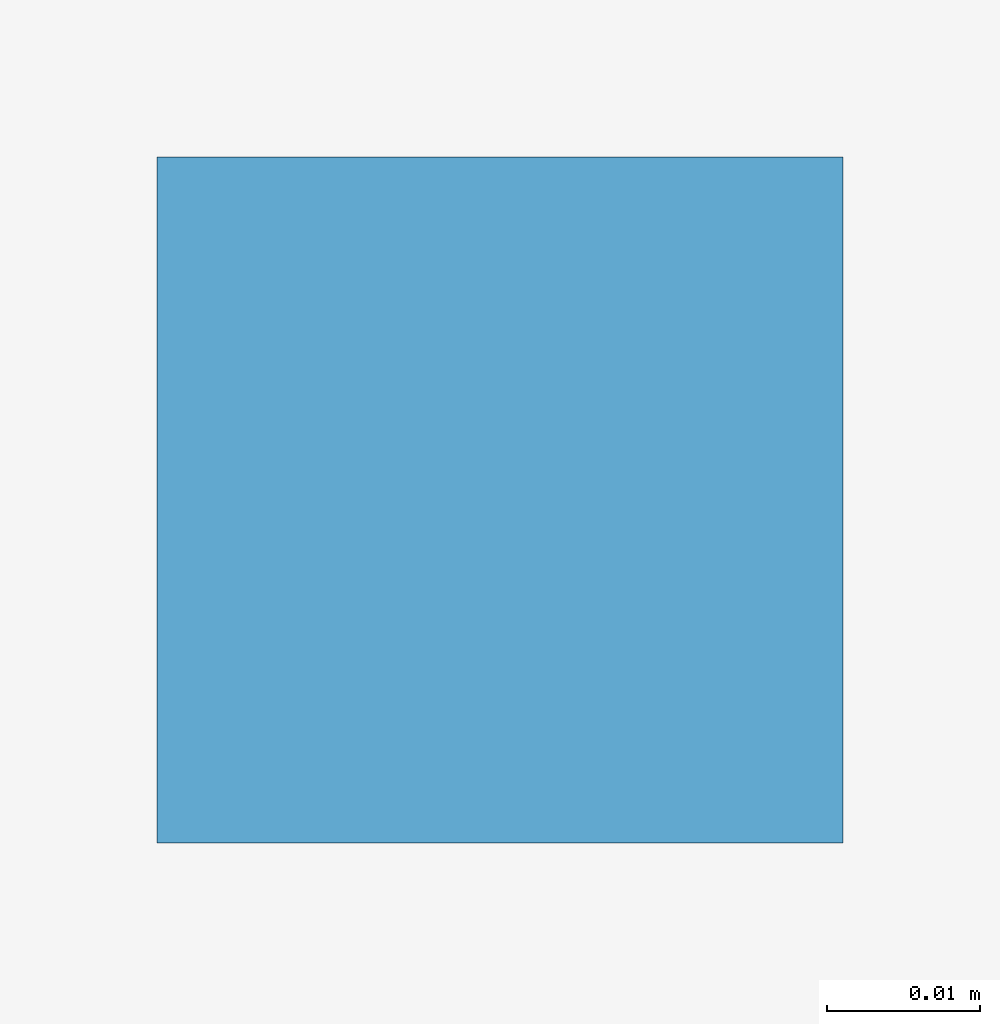
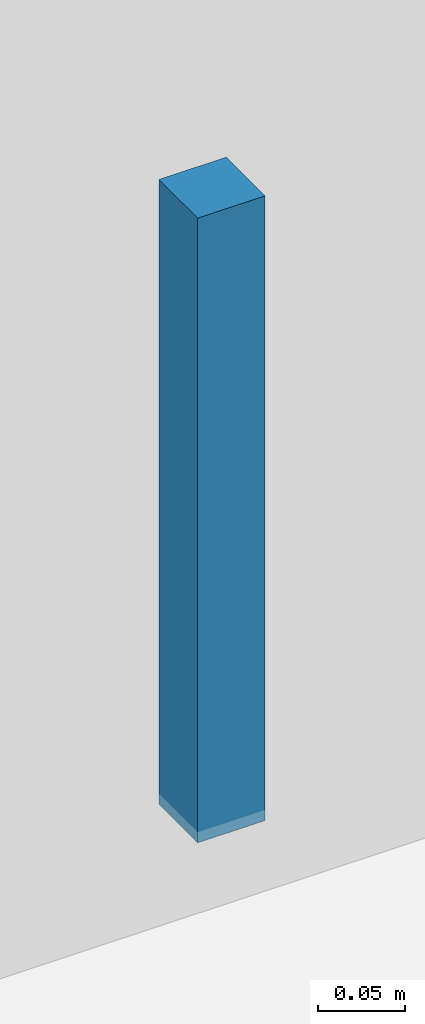
# One storey, part 60 of 85: 1 discrete accessory.
"""IFC4 building model written with IfcOpenShell, lengths in metres."""

from ifc_helpers import new_model, si_unit, derived_unit, direction, frame, origin, origin_2d, place, context, subcontext, project, spatial, rectangle, extrude, material, type_object, element, save


model = new_model("IFC4")

# Units and contexts
model_context = context("Model", 3, precision=1e-05, world=origin(), true_north=direction((0.0, 1.0)))
body_context = subcontext(model_context, "Body", "Model", "MODEL_VIEW")
ifc_project = project(units=[si_unit("LENGTHUNIT", "METRE"), si_unit("AREAUNIT", "SQUARE_METRE"), si_unit("VOLUMEUNIT", "CUBIC_METRE"), si_unit("PLANEANGLEUNIT", "RADIAN"), si_unit("MASSUNIT", "GRAM", prefix="KILO"), derived_unit("THERMALTRANSMITTANCEUNIT", [(si_unit("POWERUNIT", "WATT"), 1), (si_unit("LENGTHUNIT", "METRE"), -2), (si_unit("THERMODYNAMICTEMPERATUREUNIT", "KELVIN"), -1)])], contexts=[model_context])

# Site, building, storey
site_placement = place(None, origin())
site = spatial("IfcSite", under=ifc_project, at=site_placement, CompositionType="ELEMENT")
building_placement = place(site_placement, origin())
building = spatial("IfcBuilding", under=site, at=building_placement, Name="Braskholm Square Health Centre", CompositionType="ELEMENT")
storey_placement = place(building_placement, frame((0.0, 0.0, 9.300048828125)))
storey = spatial("IfcBuildingStorey", under=building, at=storey_placement, Name="L03", CompositionType="ELEMENT", Elevation=9.300048828125)

# Discrete accessory
ifc_material = material(Name="Steel ASTM A500 Grade C", Category="steel")
discrete_accessory_type = type_object("IfcDiscreteAccessoryType", Name="CeilingSuspensionBracket", PredefinedType="BRACKET", material=ifc_material)
discrete_accessory_placement = place(storey_placement, frame((19.81494140625, 53.56494140625, 3.471923828125), z_axis=(0.0, 0.0, 1.0), x_axis=(1.0, 0.0, 0.0)))
element("IfcDiscreteAccessory", 1, at=discrete_accessory_placement, inside=storey, type_object=discrete_accessory_type, Name="Ceiling hanger bracket 0057", PredefinedType="BRACKET", context=body_context, shape_type="SweptSolid", body=[
    extrude(rectangle(XDim=0.044921875, YDim=0.044921875, at=origin_2d()), origin(), (0.0, 0.0, 1.0), 0.43994140625),
])

save(model, "model.ifc")
